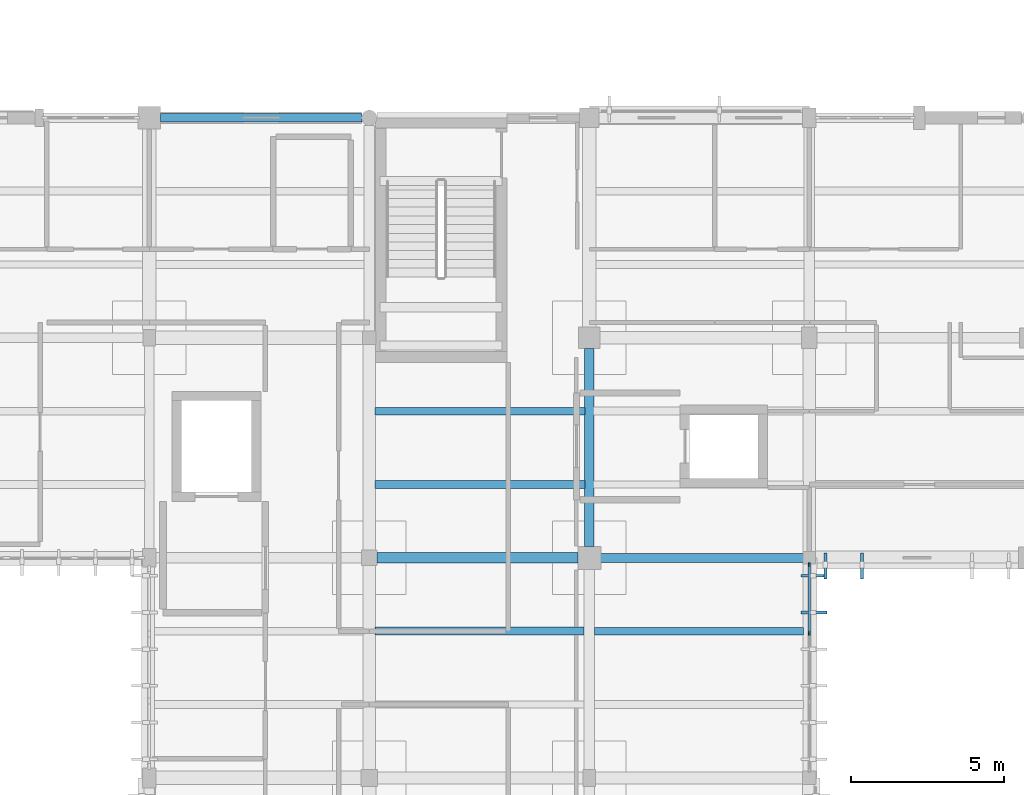
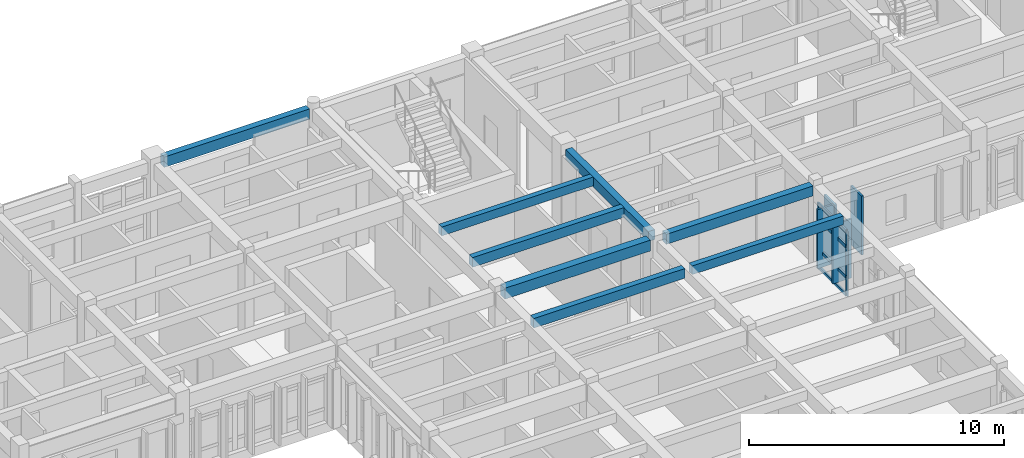
# One storey, part 13 of 51: 10 members, 8 beams, 1 element without a shape of its own.
"""IFC4 building model written with IfcOpenShell, lengths in metres."""

from ifc_helpers import new_model, si_unit, direction, frame, origin, origin_2d, place, context, subcontext, project, spatial, rectangle, extrude, material, material_profile, profile_set, type_object, element, aggregate, save


model = new_model("IFC4")

# Units and contexts
model_context = context("Model", 3, precision=1e-05, world=origin(), true_north=direction((0.0, 1.0)))
body_context = subcontext(model_context, "Body", "Model", "MODEL_VIEW")
ifc_project = project(units=[si_unit("LENGTHUNIT", "METRE"), si_unit("AREAUNIT", "SQUARE_METRE"), si_unit("VOLUMEUNIT", "CUBIC_METRE"), si_unit("PLANEANGLEUNIT", "RADIAN"), si_unit("MASSUNIT", "GRAM", prefix="KILO")], contexts=[model_context])

# Site, building, storey
site_placement = place(None, origin())
site = spatial("IfcSite", under=ifc_project, at=site_placement, CompositionType="ELEMENT")
building_placement = place(site_placement, origin())
building = spatial("IfcBuilding", under=site, at=building_placement, Name="Steenspoor Specialist Clinic", CompositionType="ELEMENT")
storey_placement = place(building_placement, frame((0.0, 0.0, 17.39990234375)))
storey = spatial("IfcBuildingStorey", under=building, at=storey_placement, Name="L04", CompositionType="ELEMENT", Elevation=17.39990234375)

# Beams
ifc_material_1 = material(Name="Concrete C35/45", Category="concrete")
ifc_material_profile_1 = material_profile(ifc_material_1, rectangle(XDim=0.300048828125, YDim=0.47998046875, at=origin_2d()), Name="RC-BM-300X480")
ifc_profile_set_1 = profile_set([ifc_material_profile_1], Name="Concrete C35/45")
beam_type_1 = type_object("IfcBeamType", Name="BM-RC-300X480", PredefinedType="BEAM", material=ifc_profile_set_1)
beam_1_placement = place(storey_placement, frame((88.77001953125, 93.949951171875, 3.68017578125), z_axis=(1.0, 0.0, 0.0), x_axis=(0.0, 1.0, 0.0)))
element("IfcBeam", 1, at=beam_1_placement, inside=storey, type_object=beam_type_1, Name="BM-V4-L04-X0924", PredefinedType="BEAM", context=body_context, shape_type="SweptSolid", body=[
    extrude(rectangle(XDim=0.300048828125, YDim=0.47998046875, at=origin_2d()), origin(), (0.0, 0.0, 1.0), 6.635009765625),
])
beam_2_placement = place(storey_placement, frame((88.39990234375, 94.320068359375, 3.68017578125), z_axis=(0.0, 1.0, 0.0), x_axis=(-1.0, 0.0, 0.0)))
element("IfcBeam", 2, at=beam_2_placement, inside=storey, type_object=beam_type_1, Name="BM-V4-L04-Y0955", PredefinedType="BEAM", context=body_context, shape_type="SweptSolid", body=[
    extrude(rectangle(XDim=0.300048828125, YDim=0.47998046875, at=origin_2d()), origin(), (0.0, 0.0, 1.0), 6.48486328125),
])
ifc_material_profile_2 = material_profile(ifc_material_1, rectangle(XDim=0.35009765625, YDim=0.52001953125, at=origin_2d()), Name="RC-BM-350X520")
ifc_profile_set_2 = profile_set([ifc_material_profile_2], Name="Concrete C35/45")
beam_type_2 = type_object("IfcBeamType", Name="BM-RC-350X520", PredefinedType="BEAM", material=ifc_profile_set_2)
beam_3_placement = place(storey_placement, frame((81.445068359375, 93.949951171875, 3.66015625), z_axis=(1.0, 0.0, 0.0), x_axis=(0.0, 1.0, 0.0)))
element("IfcBeam", 3, at=beam_3_placement, inside=storey, type_object=beam_type_2, Name="BM-V4-L04-X0923", PredefinedType="BEAM", context=body_context, shape_type="SweptSolid", body=[
    extrude(rectangle(XDim=0.35009765625, YDim=0.52001953125, at=origin_2d()), origin(), (0.0, 0.0, 1.0), 6.5849609375),
])

# Curtain wall, members
ifc_material_2 = material(Name="Thermally broken aluminium and low-emissivity glass", Category="aluminium")
curtain_wall_type = type_object("IfcCurtainWallType", Name="CW-TYP-650X355", PredefinedType="USERDEFINED", material=ifc_material_2)
curtain_wall_placement = place(storey_placement, origin())
curtain_wall = element("IfcCurtainWall", 4, at=curtain_wall_placement, inside=storey, type_object=curtain_wall_type, Name="Unitised Curtain Wall CW-V4-L04-130", ObjectType="UNITISED GLAZING", PredefinedType="USERDEFINED")
ifc_material_3 = material(Name="Thermally broken aluminium 6063-T6", Category="aluminium")
ifc_material_profile_3 = material_profile(ifc_material_3, rectangle(XDim=0.06005859375, YDim=0.135009765625, at=origin_2d()), Name="CWM-60X135")
ifc_profile_set_3 = profile_set([ifc_material_profile_3], Name="Thermally broken aluminium 6063-T6")
member_type_1 = type_object("IfcMemberType", Name="CW-MULL-60X135", PredefinedType="MULLION", material=ifc_profile_set_3)
member_1_placement = place(storey_placement, frame((95.60009765625, 93.719970703125, 0.0), z_axis=(0.0, 0.0, 1.0), x_axis=(1.0, 0.0, 0.0)))
member_1 = element("IfcMember", 5, at=member_1_placement, type_object=member_type_1, Name="CW-10 mullion 1", PredefinedType="MULLION", context=body_context, shape_type="SweptSolid", body=[
    extrude(rectangle(XDim=0.06005859375, YDim=0.135009765625, at=origin_2d()), origin(), (0.0, 0.0, 1.0), 3.10009765625),
])
member_2_placement = place(storey_placement, frame((95.60009765625, 91.49169921875, 0.0), z_axis=(0.0, 0.0, 1.0), x_axis=(1.0, 0.0, 0.0)))
member_2 = element("IfcMember", 6, at=member_2_placement, type_object=member_type_1, Name="CW-10 mullion 2", PredefinedType="MULLION", context=body_context, shape_type="SweptSolid", body=[
    extrude(rectangle(XDim=0.06005859375, YDim=0.135009765625, at=origin_2d()), origin(), (0.0, 0.0, 1.0), 3.10009765625),
])
ifc_material_profile_4 = material_profile(ifc_material_3, rectangle(XDim=0.080078125, YDim=0.159912109375, at=origin_2d()), Name="CWT-80X160")
ifc_profile_set_4 = profile_set([ifc_material_profile_4], Name="Thermally broken aluminium 6063-T6")
member_type_2 = type_object("IfcMemberType", Name="CW-TRAN-80X160", PredefinedType="USERDEFINED", material=ifc_profile_set_4)
member_3_placement = place(storey_placement, frame((95.60009765625, 93.68994140625, 0.0400390625), z_axis=(0.0, -1.0, 0.0), x_axis=(1.0, 0.0, 0.0)))
member_3 = element("IfcMember", 7, at=member_3_placement, type_object=member_type_2, Name="CW-10 transom 1.1", ObjectType="TRANSOM", PredefinedType="USERDEFINED", context=body_context, shape_type="SweptSolid", body=[
    extrude(rectangle(XDim=0.080078125, YDim=0.159912109375, at=origin_2d()), origin(), (0.0, 0.0, 1.0), 2.168212890625),
])
member_4_placement = place(storey_placement, frame((95.60009765625, 93.68994140625, 0.900146484375), z_axis=(0.0, -1.0, 0.0), x_axis=(1.0, 0.0, 0.0)))
member_4 = element("IfcMember", 8, at=member_4_placement, type_object=member_type_2, Name="CW-10 transom 1.2", ObjectType="TRANSOM", PredefinedType="USERDEFINED", context=body_context, shape_type="SweptSolid", body=[
    extrude(rectangle(XDim=0.080078125, YDim=0.159912109375, at=origin_2d()), origin(), (0.0, 0.0, 1.0), 2.168212890625),
])
member_5_placement = place(storey_placement, frame((95.60009765625, 93.68994140625, 2.35009765625), z_axis=(0.0, -1.0, 0.0), x_axis=(1.0, 0.0, 0.0)))
member_5 = element("IfcMember", 9, at=member_5_placement, type_object=member_type_2, Name="CW-10 transom 1.3", ObjectType="TRANSOM", PredefinedType="USERDEFINED", context=body_context, shape_type="SweptSolid", body=[
    extrude(rectangle(XDim=0.080078125, YDim=0.159912109375, at=origin_2d()), origin(), (0.0, 0.0, 1.0), 2.168212890625),
])
member_6_placement = place(storey_placement, frame((95.60009765625, 93.68994140625, 3.06005859375), z_axis=(0.0, -1.0, 0.0), x_axis=(1.0, 0.0, 0.0)))
member_6 = element("IfcMember", 10, at=member_6_placement, type_object=member_type_2, Name="CW-10 transom 1.4", ObjectType="TRANSOM", PredefinedType="USERDEFINED", context=body_context, shape_type="SweptSolid", body=[
    extrude(rectangle(XDim=0.080078125, YDim=0.159912109375, at=origin_2d()), origin(), (0.0, 0.0, 1.0), 2.168212890625),
])
aggregate(curtain_wall, [member_1, member_2, member_3, member_4, member_5, member_6])

# Beams
ifc_material_profile_5 = material_profile(ifc_material_1, rectangle(XDim=0.239990234375, YDim=0.419921875, at=origin_2d()), Name="RC-JT-240X420")
ifc_profile_set_5 = profile_set([ifc_material_profile_5], Name="Concrete C35/45")
beam_type_3 = type_object("IfcBeamType", Name="JT-RC-240X420", PredefinedType="JOIST", material=ifc_profile_set_5)
beam_4_placement = place(storey_placement, frame((81.39501953125, 98.75, 3.710205078125), z_axis=(1.0, 0.0, 0.0), x_axis=(0.0, 1.0, 0.0)))
element("IfcBeam", 11, at=beam_4_placement, inside=storey, type_object=beam_type_3, Name="JT-V4-L04-0987", PredefinedType="JOIST", context=body_context, shape_type="SweptSolid", body=[
    extrude(rectangle(XDim=0.239990234375, YDim=0.419921875, at=origin_2d()), origin(), (0.0, 0.0, 1.0), 6.85986328125),
])
beam_5_placement = place(storey_placement, frame((88.570068359375, 91.550048828125, 3.710205078125), z_axis=(1.0, 0.0, 0.0), x_axis=(0.0, 1.0, 0.0)))
element("IfcBeam", 12, at=beam_5_placement, inside=storey, type_object=beam_type_3, Name="JT-V4-L04-0993", PredefinedType="JOIST", context=body_context, shape_type="SweptSolid", body=[
    extrude(rectangle(XDim=0.239990234375, YDim=0.419921875, at=origin_2d()), origin(), (0.0, 0.0, 1.0), 6.8349609375),
])
ifc_material_profile_6 = material_profile(ifc_material_1, rectangle(XDim=0.260009765625, YDim=0.4599609375, at=origin_2d()), Name="RC-JT-260X460")
ifc_profile_set_6 = profile_set([ifc_material_profile_6], Name="Concrete C35/45")
beam_type_4 = type_object("IfcBeamType", Name="JT-RC-260X460", PredefinedType="JOIST", material=ifc_profile_set_6)
beam_6_placement = place(storey_placement, frame((81.39501953125, 91.550048828125, 3.690185546875), z_axis=(1.0, 0.0, 0.0), x_axis=(0.0, 1.0, 0.0)))
element("IfcBeam", 13, at=beam_6_placement, inside=storey, type_object=beam_type_4, Name="JT-V4-L04-0985", PredefinedType="JOIST", context=body_context, shape_type="SweptSolid", body=[
    extrude(rectangle(XDim=0.260009765625, YDim=0.4599609375, at=origin_2d()), origin(), (0.0, 0.0, 1.0), 6.8349609375),
])
beam_7_placement = place(storey_placement, frame((81.39501953125, 96.35009765625, 3.690185546875), z_axis=(1.0, 0.0, 0.0), x_axis=(0.0, 1.0, 0.0)))
element("IfcBeam", 14, at=beam_7_placement, inside=storey, type_object=beam_type_4, Name="JT-V4-L04-0986", PredefinedType="JOIST", context=body_context, shape_type="SweptSolid", body=[
    extrude(rectangle(XDim=0.260009765625, YDim=0.4599609375, at=origin_2d()), origin(), (0.0, 0.0, 1.0), 6.85986328125),
])

# Members
ifc_material_4 = material(Name="Glulam GL28h", Category="wood")
ifc_material_profile_7 = material_profile(ifc_material_4, rectangle(XDim=0.090087890625, YDim=0.85009765625, at=origin_2d()), Name="GL28H-90X850")
ifc_profile_set_7 = profile_set([ifc_material_profile_7], Name="Glulam GL28h")
member_type_3 = type_object("IfcMemberType", Name="MEM-SCREEN-GL850", PredefinedType="STRUT", material=ifc_profile_set_7)
for number, where, z_axis, x_axis, name in (
    (15, (97.324951171875, 93.68505859375, 0.27001953125), (0.0, 0.0, 1.0), (-1.0, 0.0, 0.0), "Glulam Timber Screen Fin SCR-FIN-V4-L04-0075"),
    (16, (96.125, 93.68505859375, 0.27001953125), (0.0, 0.0, 1.0), (-1.0, 0.0, 0.0), "Glulam Timber Screen Fin SCR-FIN-V4-L04-0076"),
    (17, (95.75, 93.362548828125, 0.27001953125), (0.0, 0.0, 1.0), (0.0, -1.0, 0.0), "Glulam Timber Screen Fin SCR-FIN-V4-L04-0079"),
    (18, (95.75, 92.16259765625, 0.27001953125), (0.0, 0.0, 1.0), (0.0, -1.0, 0.0), "Glulam Timber Screen Fin SCR-FIN-V4-L04-0080"),
):
    element("IfcMember", number, at=place(storey_placement, frame(where, z_axis=z_axis, x_axis=x_axis)), inside=storey, type_object=member_type_3, Name=name, PredefinedType="STRUT", context=body_context, shape_type="SweptSolid", body=[
        extrude(rectangle(XDim=0.090087890625, YDim=0.85009765625, at=origin_2d()), origin(), (0.0, 0.0, 1.0), 2.820068359375),
    ])

# Beam
ifc_material_profile_8 = material_profile(ifc_material_1, rectangle(XDim=0.280029296875, YDim=0.5, at=origin_2d()), Name="RC-SP-280X500")
ifc_profile_set_8 = profile_set([ifc_material_profile_8], Name="Concrete C35/45")
beam_type_5 = type_object("IfcBeamType", Name="SP-RC-280X500", PredefinedType="SPANDREL", material=ifc_profile_set_8)
beam_8_placement = place(storey_placement, frame((74.3701171875, 108.35009765625, 3.670166015625), z_axis=(1.0, 0.0, 0.0), x_axis=(0.0, 1.0, 0.0)))
element("IfcBeam", 19, at=beam_8_placement, inside=storey, type_object=beam_type_5, Name="BM-V4-L04-X0933", PredefinedType="SPANDREL", context=body_context, shape_type="SweptSolid", body=[
    extrude(rectangle(XDim=0.280029296875, YDim=0.5, at=origin_2d()), origin(), (0.0, 0.0, 1.0), 6.5849609375),
])

save(model, "model.ifc")
